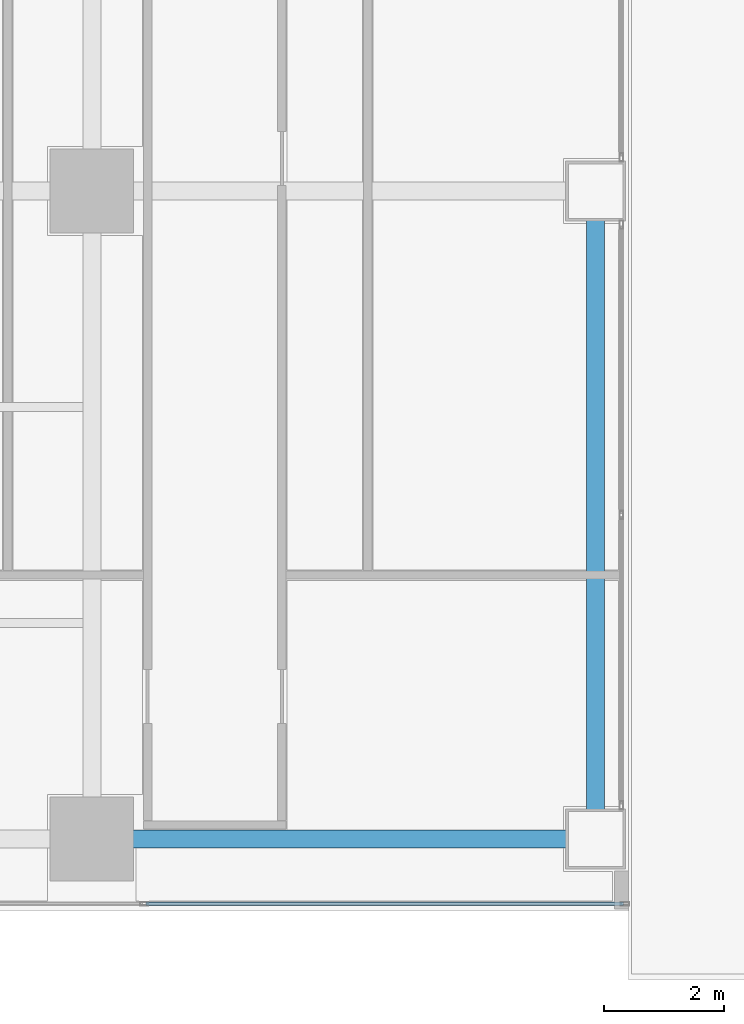
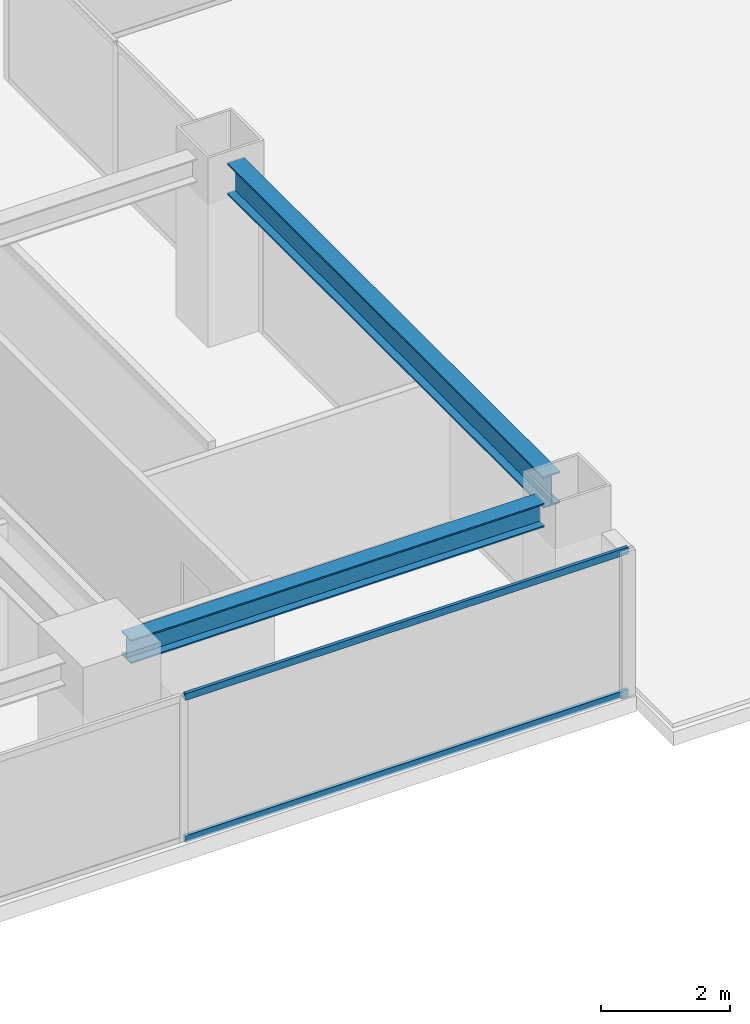
# One storey, part 3 of 30: 2 beams, 2 members, 1 element without a shape of its own.
"""IFC4 building model written with IfcOpenShell, lengths in metres."""

from ifc_helpers import new_model, si_unit, direction, frame, origin, origin_2d, place, context, subcontext, project, spatial, hollow_rectangle, i_section, extrude, source, transform, mapped, material, layer, layer_set, material_profile, profile_set, type_object, element, aggregate, save


model = new_model("IFC4")

# Units and contexts
model_context = context("Model", 3, precision=1e-05, world=origin(), true_north=direction((0.0, 1.0)))
body_context = subcontext(model_context, "Body", "Model", "MODEL_VIEW")
ifc_project = project(units=[si_unit("LENGTHUNIT", "METRE"), si_unit("AREAUNIT", "SQUARE_METRE"), si_unit("VOLUMEUNIT", "CUBIC_METRE"), si_unit("PLANEANGLEUNIT", "RADIAN"), si_unit("MASSUNIT", "GRAM", prefix="KILO")], contexts=[model_context])

# Site, building, storey
site_placement = place(None, origin())
site = spatial("IfcSite", under=ifc_project, at=site_placement, CompositionType="ELEMENT")
building_placement = place(site_placement, origin())
building = spatial("IfcBuilding", under=site, at=building_placement, Name="Sumidabori Civic Tower", CompositionType="ELEMENT")
storey_placement = place(building_placement, frame((0.0, 0.0, 196.39990234375)))
storey = spatial("IfcBuildingStorey", under=building, at=storey_placement, Name="L50", CompositionType="ELEMENT", Elevation=196.39990234375)

# Beams
ifc_material_1 = material(Name="Steel SN490", Category="steel")
ifc_material_profile_1 = material_profile(ifc_material_1, i_section(OverallWidth=0.300048828125, OverallDepth=0.60009765625, WebThickness=0.015380859375, FlangeThickness=0.030029296875, at=origin_2d()), Name="HE 600 B")
ifc_profile_set_1 = profile_set([ifc_material_profile_1], Name="Steel SN490")
beam_type_1 = type_object("IfcBeamType", Name="BM-GIRD-600", PredefinedType="BEAM", material=ifc_profile_set_1)
shared_shape_1 = source(origin(), body_context, "Body", "SweptSolid", [
    extrude(i_section(OverallWidth=0.300048828125, OverallDepth=0.60009765625, WebThickness=0.015380859375, FlangeThickness=0.030029296875, at=origin_2d()), origin(), (0.0, 0.0, 1.0), 9.840087890625),
])
beam_1_placement = place(storey_placement, frame((-8.39990234375, -10.320068359375, 3.080078125), z_axis=(0.0, 1.0, 0.0), x_axis=(-1.0, 0.0, 0.0)))
element("IfcBeam", 1, at=beam_1_placement, inside=storey, type_object=beam_type_1, Name="Primary Girder L50 GY-17", PredefinedType="BEAM", context=body_context, shape_type="MappedRepresentation", body=[
    mapped(shared_shape_1, transform((0.0, 0.0, 0.0), x_axis=(1.0, 0.0, 0.0), y_axis=(0.0, 1.0, 0.0), z_axis=(0.0, 0.0, 1.0), scale=1.0)),
])
ifc_material_profile_2 = material_profile(ifc_material_1, i_section(OverallWidth=0.300048828125, OverallDepth=0.449951171875, WebThickness=0.013916015625, FlangeThickness=0.02587890625, at=origin_2d()), Name="HE 450 B")
ifc_profile_set_2 = profile_set([ifc_material_profile_2], Name="Steel SN490")
beam_type_2 = type_object("IfcBeamType", Name="BM-GIRD-450", PredefinedType="BEAM", material=ifc_profile_set_2)
shared_shape_2 = source(origin(), body_context, "Body", "SweptSolid", [
    extrude(i_section(OverallWidth=0.300048828125, OverallDepth=0.449951171875, WebThickness=0.013916015625, FlangeThickness=0.02587890625, at=origin_2d()), origin(), (0.0, 0.0, 1.0), 7.440185546875),
])
beam_2_placement = place(storey_placement, frame((-16.320068359375, -10.800048828125, 3.155029296875), z_axis=(1.0, 0.0, 0.0), x_axis=(0.0, 1.0, 0.0)))
element("IfcBeam", 2, at=beam_2_placement, inside=storey, type_object=beam_type_2, Name="Primary Girder L50 GX-02", PredefinedType="BEAM", context=body_context, shape_type="MappedRepresentation", body=[
    mapped(shared_shape_2, transform((0.0, 0.0, 0.0), x_axis=(1.0, 0.0, 0.0), y_axis=(0.0, 1.0, 0.0), z_axis=(0.0, 0.0, 1.0), scale=1.0)),
])

# Curtain wall, members
ifc_material_2 = material(Name="Anodised Bronze Aluminium AW-6063-T6", Category="aluminium")
ifc_layer = layer(ifc_material_2, 0.179931640625, Name="Anodised Bronze Aluminium AW-6063-T6")
ifc_layer_set = layer_set([ifc_layer], Name="Anodised Bronze Aluminium AW-6063-T6")
curtain_wall_type = type_object("IfcCurtainWallType", Name="CW-SYS-5", PredefinedType="NOTDEFINED", material=ifc_layer_set)
curtain_wall_placement = place(storey_placement, origin())
curtain_wall = element("IfcCurtainWall", 3, at=curtain_wall_placement, inside=storey, type_object=curtain_wall_type, Name="Curtain Wall CW:L50:R01", PredefinedType="NOTDEFINED")
ifc_material_profile_3 = material_profile(ifc_material_2, hollow_rectangle(XDim=0.06005859375, YDim=0.1298828125, WallThickness=0.0048828125, at=origin_2d()), Name="ALU TRANSOM 130x60")
ifc_profile_set_3 = profile_set([ifc_material_profile_3], Name="Anodised Bronze Aluminium AW-6063-T6")
member_type = type_object("IfcMemberType", Name="CW-TRN-130", PredefinedType="USERDEFINED", material=ifc_profile_set_3)
shared_shape_3 = source(origin(), body_context, "Body", "SweptSolid", [
    extrude(hollow_rectangle(XDim=0.06005859375, YDim=0.1298828125, WallThickness=0.0048828125, at=origin_2d()), origin(), (0.0, 0.0, 1.0), 7.955078125),
])
member_1_placement = place(storey_placement, frame((-15.89501953125, -11.8798828125, 0.030029296875), z_axis=(1.0, 0.0, 0.0), x_axis=(0.0, 1.0, 0.0)))
member_1 = element("IfcMember", 4, at=member_1_placement, type_object=member_type, Name="CW-5 transom 2.1", ObjectType="TRANSOM", PredefinedType="USERDEFINED", context=body_context, shape_type="MappedRepresentation", body=[
    mapped(shared_shape_3, transform((0.0, 0.0, 0.0), x_axis=(1.0, 0.0, 0.0), y_axis=(0.0, 1.0, 0.0), z_axis=(0.0, 0.0, 1.0), scale=1.0)),
])
member_2_placement = place(storey_placement, frame((-15.89501953125, -11.8798828125, 2.72998046875), z_axis=(1.0, 0.0, 0.0), x_axis=(0.0, 1.0, 0.0)))
member_2 = element("IfcMember", 5, at=member_2_placement, type_object=member_type, Name="CW-5 transom 2.2", ObjectType="TRANSOM", PredefinedType="USERDEFINED", context=body_context, shape_type="MappedRepresentation", body=[
    mapped(shared_shape_3, transform((0.0, 0.0, 0.0), x_axis=(1.0, 0.0, 0.0), y_axis=(0.0, 1.0, 0.0), z_axis=(0.0, 0.0, 1.0), scale=1.0)),
])
aggregate(curtain_wall, [member_1, member_2])

save(model, "model.ifc")
